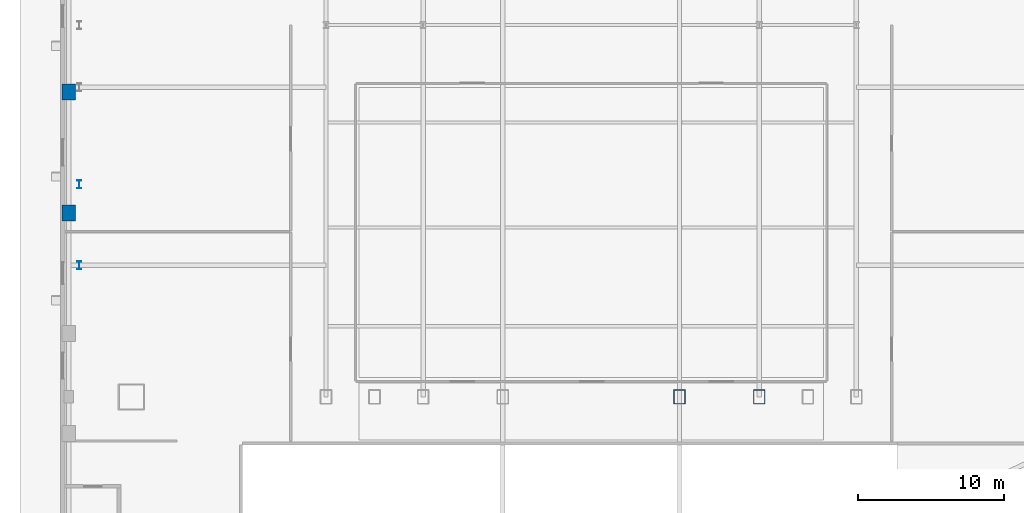
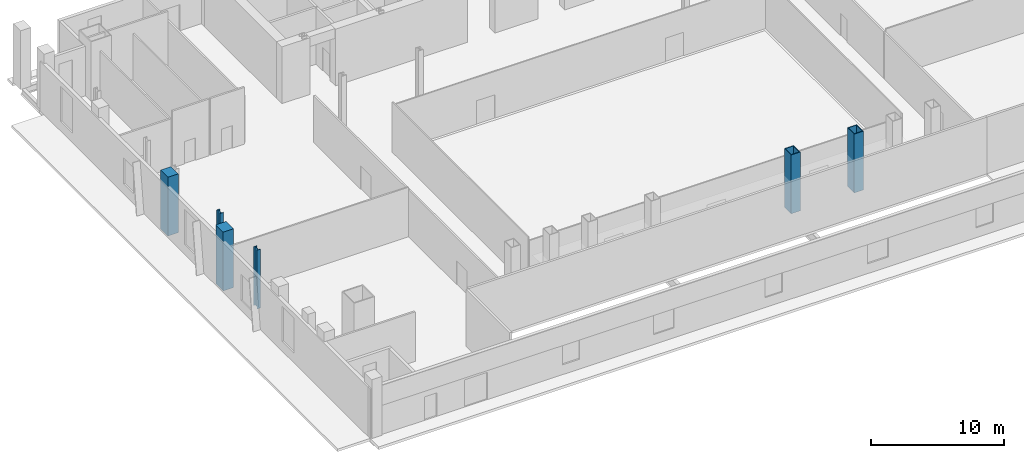
# One storey, part 2 of 16: 6 columns.
"""IFC4 building model written with IfcOpenShell, lengths in metres."""

import ifcopenshell
import ifcopenshell.guid

model = None  # the IFC model being written
_history = None  # IfcOwnerHistory: only IFC2X3 demands one
_inside = {}  # id of a spatial element -> (the spatial element, [elements in it])
_under = {}  # id of a project, library or spatial element -> (it, [spatial elements below it])
_declared = {}  # id of a project -> (the project, [libraries it declares])
_typed = {}  # id of a type object -> (the type object, [elements of that type])
_made_of = {}  # id of a material, layer set ... -> (it, [elements and type objects made of it])


def new_model(schema):
    """Start an empty IFC model of exactly this schema.

    Asked for "IFC4X3", IfcOpenShell would pick the latest addendum, in which some entities
    have other attributes; the version numbers below select the first issue.
    IFC2X3 requires an IfcOwnerHistory on every rooted entity: one is made here for all.
    """
    global model, _history
    if schema == "IFC4X3":
        model = ifcopenshell.file(schema_version=(4, 3, 0, 0))
    else:
        model = ifcopenshell.file(schema=schema)
    _inside.clear()
    _under.clear()
    _declared.clear()
    _typed.clear()
    _made_of.clear()
    _history = None
    if model.schema == "IFC2X3":
        org = make("IfcOrganization", Name="unknown")
        user = make(
            "IfcPersonAndOrganization",
            ThePerson=make("IfcPerson", FamilyName="unknown"),
            TheOrganization=org,
        )
        app = make(
            "IfcApplication",
            ApplicationDeveloper=org,
            Version="unknown",
            ApplicationFullName="unknown",
            ApplicationIdentifier="unknown",
        )
        _history = make(
            "IfcOwnerHistory",
            OwningUser=user,
            OwningApplication=app,
            ChangeAction="ADDED",
            CreationDate=0,
        )
    return model


def make(cls, **values):
    """One entity of the class cls with the attributes given. An attribute that is None is left unset."""
    return model.create_entity(
        cls, **{name: value for name, value in values.items() if value is not None}
    )


def rooted(cls, **values):
    """An entity with a GlobalId (a new one), such as an element, a storey or a relation."""
    return make(cls, GlobalId=ifcopenshell.guid.new(), OwnerHistory=_history, **values)


def si_unit(unit_type, name, prefix=None):
    """IfcSIUnit, for example si_unit("LENGTHUNIT", "METRE", prefix="MILLI")."""
    return make("IfcSIUnit", UnitType=unit_type, Prefix=prefix, Name=name)


def assignment(units):
    """IfcUnitAssignment: the units of a project."""
    return None if units is None else make("IfcUnitAssignment", Units=units)


def point(xyz):
    """IfcCartesianPoint."""
    return None if xyz is None else make("IfcCartesianPoint", Coordinates=xyz)


def direction(xyz):
    """IfcDirection."""
    return None if xyz is None else make("IfcDirection", DirectionRatios=xyz)


def frame(location, z_axis=None, x_axis=None):
    """IfcAxis2Placement3D, a coordinate frame: its origin and axes. An axis left out is left unset."""
    return make(
        "IfcAxis2Placement3D",
        Location=point(location),
        Axis=direction(z_axis),
        RefDirection=direction(x_axis),
    )


def frame_2d(location, x_axis=None):
    """IfcAxis2Placement2D, a coordinate frame in the plane: its origin and x axis."""
    return make(
        "IfcAxis2Placement2D", Location=point(location), RefDirection=direction(x_axis)
    )


def origin():
    """The frame at (0, 0, 0) with its axes left unset."""
    return frame((0.0, 0.0, 0.0))


def origin_2d():
    """The frame at (0, 0) in the plane with its x axis left unset."""
    return frame_2d((0.0, 0.0))


def place(relative_to, where):
    """IfcLocalPlacement: puts the frame where relative to a parent placement (None: the world)."""
    return make(
        "IfcLocalPlacement", PlacementRelTo=relative_to, RelativePlacement=where
    )


def context(
    kind, dimensions, precision=None, world=None, true_north=None, identifier=None
):
    """IfcGeometricRepresentationContext, for example the 3D "Model" context."""
    return make(
        "IfcGeometricRepresentationContext",
        ContextIdentifier=identifier,
        ContextType=kind,
        CoordinateSpaceDimension=dimensions,
        Precision=precision,
        WorldCoordinateSystem=world,
        TrueNorth=true_north,
    )


def subcontext(parent, identifier, kind, view, scale=None):
    """IfcGeometricRepresentationSubContext, for example "Body" below "Model"."""
    return make(
        "IfcGeometricRepresentationSubContext",
        ContextIdentifier=identifier,
        ContextType=kind,
        ParentContext=parent,
        TargetScale=scale,
        TargetView=view,
    )


def project(units=None, contexts=None):
    """IfcProject with its units and contexts."""
    return rooted(
        "IfcProject",
        Name="project",
        RepresentationContexts=contexts,
        UnitsInContext=assignment(units),
    )


def spatial(cls, under=None, at=None, **own):
    """A site, building, storey or space (cls), placed at a placement, below another one or the project."""
    s = rooted(cls, ObjectPlacement=at, **own)
    if under is not None:
        _under.setdefault(under.id(), (under, []))[1].append(s)
    return s


def profile(cls, at=None, kind="AREA", **sizes):
    """A parametric profile (cls). Its sizes go by their IFC names, for example OverallWidth=200.0."""
    return make(cls, ProfileType=kind, Position=at, **sizes)


def rectangle(**sizes):
    """IfcRectangleProfileDef."""
    return profile("IfcRectangleProfileDef", **sizes)


def hollow_rectangle(**sizes):
    """IfcRectangleHollowProfileDef."""
    return profile("IfcRectangleHollowProfileDef", **sizes)


def i_section(**sizes):
    """IfcIShapeProfileDef."""
    return profile("IfcIShapeProfileDef", **sizes)


def extrude(swept, where, along, depth):
    """IfcExtrudedAreaSolid: the profile swept, set in the frame where, extruded along a direction by depth."""
    return make(
        "IfcExtrudedAreaSolid",
        SweptArea=swept,
        Position=where,
        ExtrudedDirection=direction(along),
        Depth=depth,
    )


def shape(context_of_items, identifier, shape_type, items):
    """IfcShapeRepresentation: the items that make up one representation, for example the "Body"."""
    return make(
        "IfcShapeRepresentation",
        ContextOfItems=context_of_items,
        RepresentationIdentifier=identifier,
        RepresentationType=shape_type,
        Items=items,
    )


def material(Name=None, Category=None):
    """IfcMaterial."""
    return make("IfcMaterial", Name=Name, Category=Category)


def material_profile(
    of_material, cross_section, Name=None, Category=None, Priority=None
):
    """IfcMaterialProfile: a cross section and its material."""
    return make(
        "IfcMaterialProfile",
        Name=Name,
        Material=of_material,
        Profile=cross_section,
        Priority=Priority,
        Category=Category,
    )


def profile_set(profiles, Name=None, composite=None):
    """IfcMaterialProfileSet."""
    return make(
        "IfcMaterialProfileSet",
        Name=Name,
        MaterialProfiles=profiles,
        CompositeProfile=composite,
    )


def made_of(thing, what):
    """Note that an element or type object is made of a material, layer set ...; save() writes the relation."""
    if what is not None:
        _made_of.setdefault(what.id(), (what, []))[1].append(thing)
    return thing


def type_object(cls, material=None, **own):
    """A type object (cls), such as IfcWallType, which elements share."""
    return made_of(rooted(cls, **own), material)


def element(
    cls,
    number,
    at=None,
    inside=None,
    cuts=None,
    type_object=None,
    material=None,
    context=None,
    identifier="Body",
    shape_type=None,
    held_by="IfcProductDefinitionShape",
    body=None,
    shapes=None,
    **own,
):
    """One element of the class cls, such as IfcWall. Its Tag is "e" and its number.

    at: its placement. inside: the storey or other place that contains it. cuts: it is an
    opening in that element (IfcRelVoidsElement). A single representation is given by context,
    identifier, shape_type and body (its items); several are given by shapes. held_by: the class
    of the entity that holds the representations. save() writes the other relations.
    """
    e = rooted(cls, Tag="e%d" % number, ObjectPlacement=at, **own)
    if body is not None:
        shapes = [shape(context, identifier, shape_type, body)]
    if shapes is not None:
        e.Representation = make(held_by, Representations=shapes)
    if inside is not None:
        _inside.setdefault(inside.id(), (inside, []))[1].append(e)
    if cuts is not None:
        rooted(
            "IfcRelVoidsElement", RelatingBuildingElement=cuts, RelatedOpeningElement=e
        )
    if type_object is not None:
        _typed.setdefault(type_object.id(), (type_object, []))[1].append(e)
    return made_of(e, material)


def aggregate(whole, parts):
    """IfcRelAggregates: a whole, such as a stair, and the parts it consists of."""
    return rooted("IfcRelAggregates", RelatingObject=whole, RelatedObjects=parts)


def save(model, path):
    """Write the relations noted so far, then the file.

    IfcRelAggregates (storeys below a building ...), IfcRelContainedInSpatialStructure (elements
    in a storey), IfcRelDefinesByType, IfcRelAssociatesMaterial and IfcRelDeclares: one each for
    every whole, place, type object, material and project.
    """
    for whole, parts in _under.values():
        aggregate(whole, parts)
    for where, things in _inside.values():
        rooted(
            "IfcRelContainedInSpatialStructure",
            RelatedElements=things,
            RelatingStructure=where,
        )
    for kind, things in _typed.values():
        rooted("IfcRelDefinesByType", RelatedObjects=things, RelatingType=kind)
    for what, things in _made_of.values():
        rooted("IfcRelAssociatesMaterial", RelatedObjects=things, RelatingMaterial=what)
    for by, libraries in _declared.values():
        rooted("IfcRelDeclares", RelatingContext=by, RelatedDefinitions=libraries)
    model.write(path)


model = new_model("IFC4")

# Units and contexts
model_context = context("Model", 3, precision=1e-05, world=origin(), true_north=direction((0.0, 1.0)))
body_context = subcontext(model_context, "Body", "Model", "MODEL_VIEW")
ifc_project = project(units=[si_unit("LENGTHUNIT", "METRE"), si_unit("AREAUNIT", "SQUARE_METRE"), si_unit("VOLUMEUNIT", "CUBIC_METRE"), si_unit("PLANEANGLEUNIT", "RADIAN"), si_unit("MASSUNIT", "GRAM", prefix="KILO")], contexts=[model_context])

# Site, building, storey
site_placement = place(None, origin())
site = spatial("IfcSite", under=ifc_project, at=site_placement, CompositionType="ELEMENT")
building_placement = place(site_placement, origin())
building = spatial("IfcBuilding", under=site, at=building_placement, Name="Khoronbel Lancet Exchange", CompositionType="ELEMENT")
storey_placement = place(building_placement, origin())
storey = spatial("IfcBuildingStorey", under=building, at=storey_placement, Name="L00", CompositionType="ELEMENT", Elevation=0.0)

# Columns
ifc_material_1 = material(Name="Steel S460", Category="steel")
ifc_material_profile_1 = material_profile(ifc_material_1, hollow_rectangle(XDim=0.800048828125, YDim=1.0, WallThickness=0.054931640625, at=origin_2d()), Name="BOX 1000x800x55")
ifc_profile_set_1 = profile_set([ifc_material_profile_1], Name="Steel S460")
column_type_1 = type_object("IfcColumnType", Name="COL-EC1", PredefinedType="COLUMN", material=ifc_profile_set_1)
for number, where, z_axis, x_axis, name in (
    (1, (42.52490234375, 10.14990234375, 0.0), (0.0, 0.0, 1.0), (1.0, 0.0, 0.0), "Structural column SC-C2 L00"),
    (2, (48.0, 10.14990234375, 0.0), (0.0, 0.0, 1.0), (1.0, 0.0, 0.0), "Structural column SC-E1 L00"),
):
    element("IfcColumn", number, at=place(storey_placement, frame(where, z_axis=z_axis, x_axis=x_axis)), inside=storey, type_object=column_type_1, Name=name, PredefinedType="COLUMN", context=body_context, shape_type="SweptSolid", body=[
        extrude(hollow_rectangle(XDim=0.800048828125, YDim=1.0, WallThickness=0.054931640625, at=origin_2d()), origin(), (0.0, 0.0, 1.0), 5.39990234375),
    ])
ifc_material_2 = material(Name="Steel S355", Category="steel")
ifc_material_profile_2 = material_profile(ifc_material_2, i_section(OverallWidth=0.300048828125, OverallDepth=0.550048828125, WebThickness=0.014892578125, FlangeThickness=0.029052734375, at=origin_2d()), Name="HEB 550")
ifc_profile_set_2 = profile_set([ifc_material_profile_2], Name="Steel S355")
column_type_2 = type_object("IfcColumnType", Name="COL-LC1", PredefinedType="COLUMN", material=ifc_profile_set_2)
for number, where, z_axis, x_axis, name in (
    (3, (1.27001953125, 19.199951171875, 0.0), (0.0, 0.0, 1.0), (1.0, 0.0, 0.0), "Structural column WC-1 L00"),
    (4, (1.27001953125, 24.75, 0.0), (0.0, 0.0, 1.0), (1.0, 0.0, 0.0), "Structural column WC-2 L00"),
):
    element("IfcColumn", number, at=place(storey_placement, frame(where, z_axis=z_axis, x_axis=x_axis)), inside=storey, type_object=column_type_2, Name=name, PredefinedType="COLUMN", context=body_context, shape_type="SweptSolid", body=[
        extrude(i_section(OverallWidth=0.300048828125, OverallDepth=0.550048828125, WebThickness=0.014892578125, FlangeThickness=0.029052734375, at=origin_2d()), origin(), (0.0, 0.0, 1.0), 5.39990234375),
    ])
ifc_material_3 = material(Name="Concrete C60/75", Category="concrete")
ifc_material_profile_3 = material_profile(ifc_material_3, rectangle(XDim=0.89990234375, YDim=1.10009765625, at=origin_2d()), Name="RC 900x1100")
ifc_profile_set_3 = profile_set([ifc_material_profile_3], Name="Concrete C60/75")
column_type_3 = type_object("IfcColumnType", Name="COL-PIL1", PredefinedType="PILASTER", material=ifc_profile_set_3)
for number, where, z_axis, x_axis, name in (
    (5, (0.550048828125, 22.800048828125, 0.0), (0.0, 0.0, 1.0), (1.0, 0.0, 0.0), "Podium Gothic colonnade pilaster W2 L00"),
    (6, (0.550048828125, 31.10009765625, 0.0), (0.0, 0.0, 1.0), (1.0, 0.0, 0.0), "Podium Gothic colonnade pilaster W3 L00"),
):
    element("IfcColumn", number, at=place(storey_placement, frame(where, z_axis=z_axis, x_axis=x_axis)), inside=storey, type_object=column_type_3, Name=name, PredefinedType="PILASTER", context=body_context, shape_type="SweptSolid", body=[
        extrude(rectangle(XDim=0.89990234375, YDim=1.10009765625, at=origin_2d()), origin(), (0.0, 0.0, 1.0), 5.39990234375),
    ])

save(model, "model.ifc")
